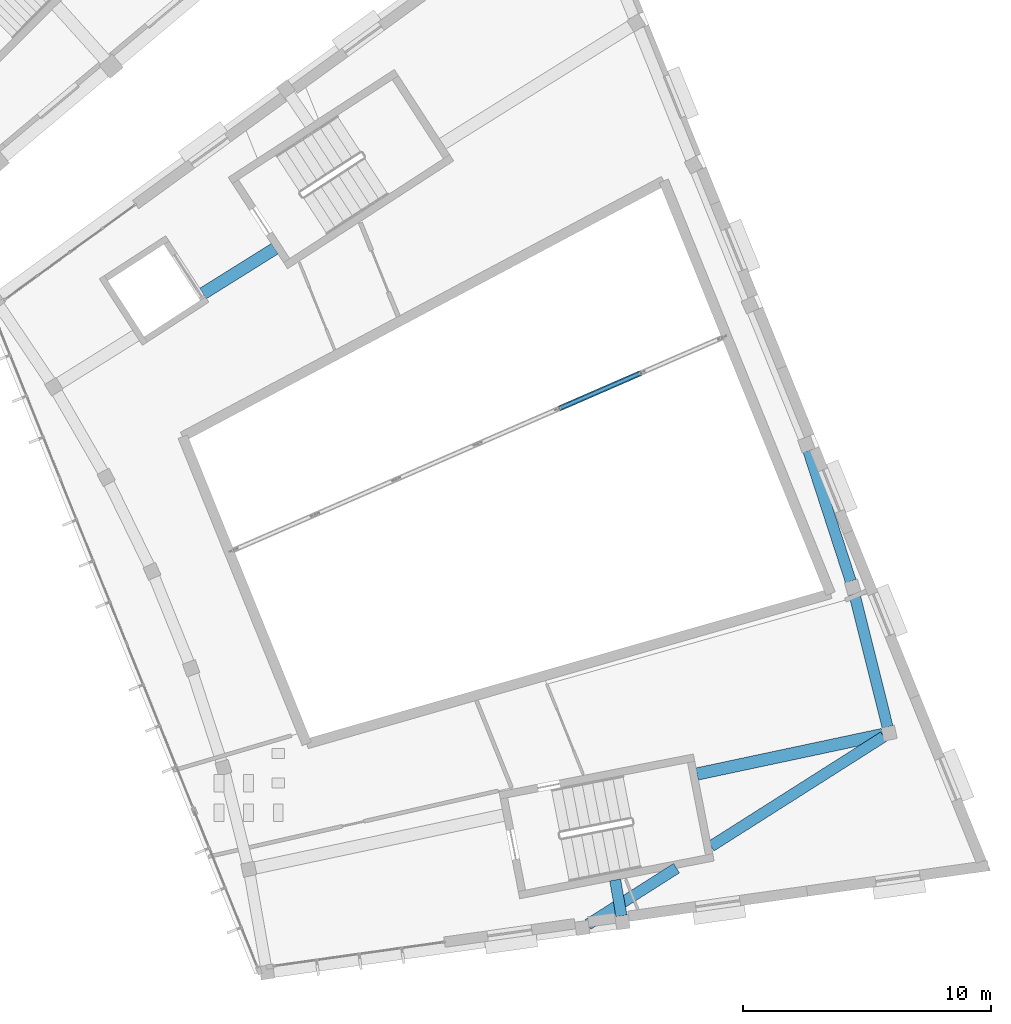
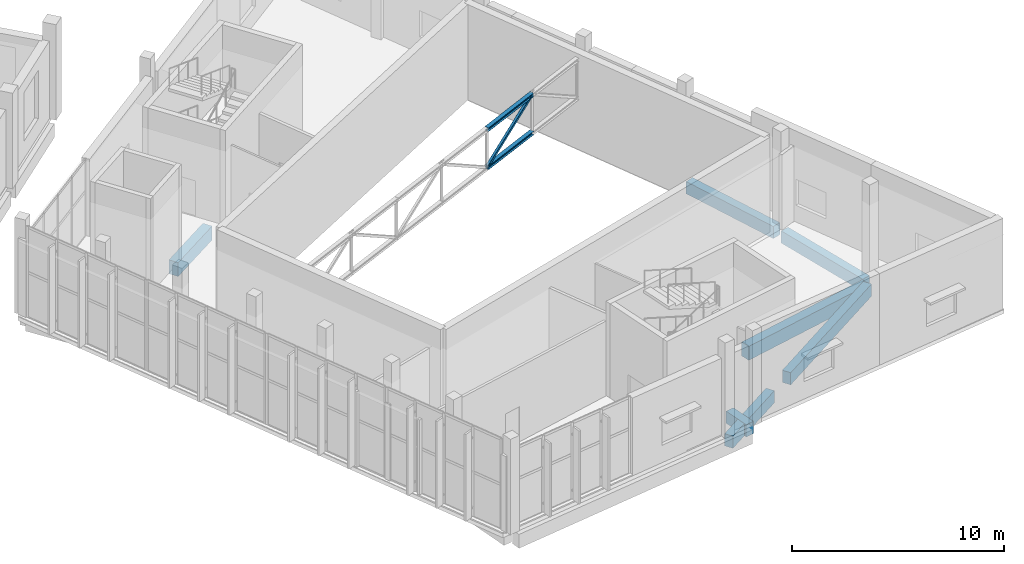
# One storey, part 26 of 112: 7 beams, 3 members.
"""IFC4 building model written with IfcOpenShell, lengths in metres."""

from ifc_helpers import new_model, si_unit, direction, frame, origin, origin_2d, place, context, subcontext, project, spatial, rectangle, hollow_rectangle, i_section, extrude, material, material_profile, profile_set, type_object, element, save


model = new_model("IFC4")

# Units and contexts
model_context = context("Model", 3, precision=1e-05, world=origin(), true_north=direction((0.0, 1.0)))
body_context = subcontext(model_context, "Body", "Model", "MODEL_VIEW")
ifc_project = project(units=[si_unit("LENGTHUNIT", "METRE"), si_unit("AREAUNIT", "SQUARE_METRE"), si_unit("VOLUMEUNIT", "CUBIC_METRE"), si_unit("PLANEANGLEUNIT", "RADIAN"), si_unit("MASSUNIT", "GRAM", prefix="KILO")], contexts=[model_context])

# Site, building, storey
site_placement = place(None, origin())
site = spatial("IfcSite", under=ifc_project, at=site_placement, CompositionType="ELEMENT")
building_placement = place(site_placement, origin())
building = spatial("IfcBuilding", under=site, at=building_placement, Name="Lunette Opera House", CompositionType="ELEMENT")
storey_placement = place(building_placement, frame((0.0, 0.0, 6.0)))
storey = spatial("IfcBuildingStorey", under=building, at=storey_placement, Name="L01", CompositionType="ELEMENT", Elevation=6.0)

# Members
ifc_material_1 = material(Name="Steel S355", Category="steel")
ifc_material_profile_1 = material_profile(ifc_material_1, i_section(OverallWidth=0.219970703125, OverallDepth=0.2099609375, WebThickness=0.007080078125, FlangeThickness=0.010986328125, FilletRadius=0.01806640625, at=origin_2d()), Name="HEA 220")
ifc_profile_set_1 = profile_set([ifc_material_profile_1], Name="Steel S355")
member_type_1 = type_object("IfcMemberType", Name="CHORD HEA 220", PredefinedType="CHORD", material=ifc_profile_set_1)
for number, where, z_axis, x_axis, name in (
    (1, (167.712890625, 31.181884765625, 5.175048828125), (0.917111190193, 0.398631490005, 0.0), (-0.398631490005, 0.917111190193, 0.0), "mem-SB-L01-SB-TR02-TC5"),
    (2, (167.712890625, 31.181884765625, 2.97509765625), (0.917111190193, 0.398631490005, 0.0), (-0.398631490005, 0.917111190193, 0.0), "mem-SB-L01-SB-TR02-BC5"),
):
    element("IfcMember", number, at=place(storey_placement, frame(where, z_axis=z_axis, x_axis=x_axis)), inside=storey, type_object=member_type_1, Name=name, PredefinedType="CHORD", context=body_context, shape_type="SweptSolid", body=[
        extrude(i_section(OverallWidth=0.219970703125, OverallDepth=0.2099609375, WebThickness=0.007080078125, FlangeThickness=0.010986328125, FilletRadius=0.01806640625, at=origin_2d()), origin(), (0.0, 0.0, 1.0), 3.585205078125),
    ])
ifc_material_2 = material(Name="Steel S355", Category="steel")
ifc_material_profile_2 = material_profile(ifc_material_2, hollow_rectangle(XDim=0.139892578125, YDim=0.139892578125, WallThickness=0.006103515625, InnerFilletRadius=0.006103515625, OuterFilletRadius=0.011962890625, at=origin_2d()), Name="RHS 140X140X6")
ifc_profile_set_2 = profile_set([ifc_material_profile_2], Name="Steel S355")
member_type_2 = type_object("IfcMemberType", Name="DIAGONAL RHS 140X140X6", PredefinedType="BRACE", material=ifc_profile_set_2)
member_placement = place(storey_placement, frame((167.712890625, 31.181884765625, 2.97509765625), z_axis=(0.781684171405, 0.339766790868, 0.522999411088), x_axis=(-0.398631490005, 0.917111190193, 0.0)))
element("IfcMember", 3, at=member_placement, inside=storey, type_object=member_type_2, Name="mem-SB-L01-SB-TR02-TD5", PredefinedType="BRACE", context=body_context, shape_type="SweptSolid", body=[
    extrude(hollow_rectangle(XDim=0.139892578125, YDim=0.139892578125, WallThickness=0.006103515625, InnerFilletRadius=0.006103515625, OuterFilletRadius=0.011962890625, at=origin_2d()), origin(), (0.0, 0.0, 1.0), 4.206298828125),
])

# Beams
ifc_material_3 = material(Name="Concrete C35/45", Category="concrete")
ifc_material_profile_3 = material_profile(ifc_material_3, rectangle(XDim=0.449951171875, YDim=0.699951171875, at=origin_2d()), Name="RC BEAM 450X700")
ifc_profile_set_3 = profile_set([ifc_material_profile_3], Name="Concrete C35/45")
beam_type_1 = type_object("IfcBeamType", Name="RC BEAM 450X700", PredefinedType="BEAM", material=ifc_profile_set_3)
beam_1_placement = place(storey_placement, frame((169.968994140625, 12.14697265625, -0.570068359375), z_axis=(0.173520096669, -0.98483032856, 0.0), x_axis=(0.98483032856, 0.173520096669, 0.0)))
element("IfcBeam", 4, at=beam_1_placement, inside=storey, type_object=beam_type_1, Name="beam-SB-L01-L01-RG16", PredefinedType="BEAM", context=body_context, shape_type="SweptSolid", body=[
    extrude(rectangle(XDim=0.449951171875, YDim=0.699951171875, at=origin_2d()), origin(), (0.0, 0.0, 1.0), 1.47021484375),
])
beam_2_placement = place(storey_placement, frame((177.76904296875, 29.47998046875, -0.570068359375), z_axis=(0.30910401414, -0.951028237458, 0.0), x_axis=(0.951028237458, 0.30910401414, 0.0)))
element("IfcBeam", 5, at=beam_2_placement, inside=storey, type_object=beam_type_1, Name="beam-SB-L01-L01-RG24", PredefinedType="BEAM", context=body_context, shape_type="SweptSolid", body=[
    extrude(rectangle(XDim=0.449951171875, YDim=0.699951171875, at=origin_2d()), origin(), (0.0, 0.0, 1.0), 5.538330078125),
])
beam_3_placement = place(storey_placement, frame((179.626953125, 23.7041015625, -0.570068359375), z_axis=(0.241830131183, -0.970318601106, 0.0), x_axis=(0.970318601106, 0.241830131183, 0.0)))
element("IfcBeam", 6, at=beam_3_placement, inside=storey, type_object=beam_type_1, Name="beam-SB-L01-L01-RG25", PredefinedType="BEAM", context=body_context, shape_type="SweptSolid", body=[
    extrude(rectangle(XDim=0.449951171875, YDim=0.699951171875, at=origin_2d()), origin(), (0.0, 0.0, 1.0), 5.537353515625),
])
beam_4_placement = place(storey_placement, frame((180.806884765625, 17.931884765625, -0.570068359375), z_axis=(-0.844138835531, -0.536124636954, 0.0), x_axis=(0.536124636954, -0.844138835531, 0.0)))
element("IfcBeam", 7, at=beam_4_placement, inside=storey, type_object=beam_type_1, Name="beam-SB-L01-L01-RG26", PredefinedType="BEAM", context=body_context, shape_type="SweptSolid", body=[
    extrude(rectangle(XDim=0.449951171875, YDim=0.699951171875, at=origin_2d()), origin(), (0.0, 0.0, 1.0), 8.249755859375),
])
beam_5_placement = place(storey_placement, frame((172.445068359375, 12.6220703125, -0.570068359375), z_axis=(-0.844124171518, -0.536147725034, 0.0), x_axis=(0.536147725034, -0.844124171518, 0.0)))
element("IfcBeam", 8, at=beam_5_placement, inside=storey, type_object=beam_type_1, Name="beam-SB-L01-L01-RG26-1", PredefinedType="BEAM", context=body_context, shape_type="SweptSolid", body=[
    extrude(rectangle(XDim=0.449951171875, YDim=0.699951171875, at=origin_2d()), origin(), (0.0, 0.0, 1.0), 4.23388671875),
])
ifc_material_4 = material(Name="Concrete C35/45", Category="concrete")
ifc_material_profile_4 = material_profile(ifc_material_4, rectangle(XDim=0.5, YDim=0.800048828125, at=origin_2d()), Name="RC BEAM 500X800")
ifc_profile_set_4 = profile_set([ifc_material_profile_4], Name="Concrete C35/45")
beam_type_2 = type_object("IfcBeamType", Name="RC BEAM 500X800", PredefinedType="BEAM", material=ifc_profile_set_4)
beam_6_placement = place(storey_placement, frame((153.3291015625, 35.822998046875, -0.6201171875), z_axis=(0.848054454248, 0.529909089024, 0.0), x_axis=(-0.529909089024, 0.848054454248, 0.0)))
element("IfcBeam", 9, at=beam_6_placement, inside=storey, type_object=beam_type_2, Name="beam-SB-L01-L01-RB01-1", PredefinedType="BEAM", context=body_context, shape_type="SweptSolid", body=[
    extrude(rectangle(XDim=0.5, YDim=0.800048828125, at=origin_2d()), origin(), (0.0, 0.0, 1.0), 3.41943359375),
])
beam_7_placement = place(storey_placement, frame((173.27587890625, 16.425048828125, -0.6201171875), z_axis=(0.978124828899, 0.208018795045, 0.0), x_axis=(-0.208018795045, 0.978124828899, 0.0)))
element("IfcBeam", 10, at=beam_7_placement, inside=storey, type_object=beam_type_2, Name="beam-SB-L01-L01-RB16", PredefinedType="BEAM", context=body_context, shape_type="SweptSolid", body=[
    extrude(rectangle(XDim=0.5, YDim=0.800048828125, at=origin_2d()), origin(), (0.0, 0.0, 1.0), 7.662841796875),
])

save(model, "model.ifc")
